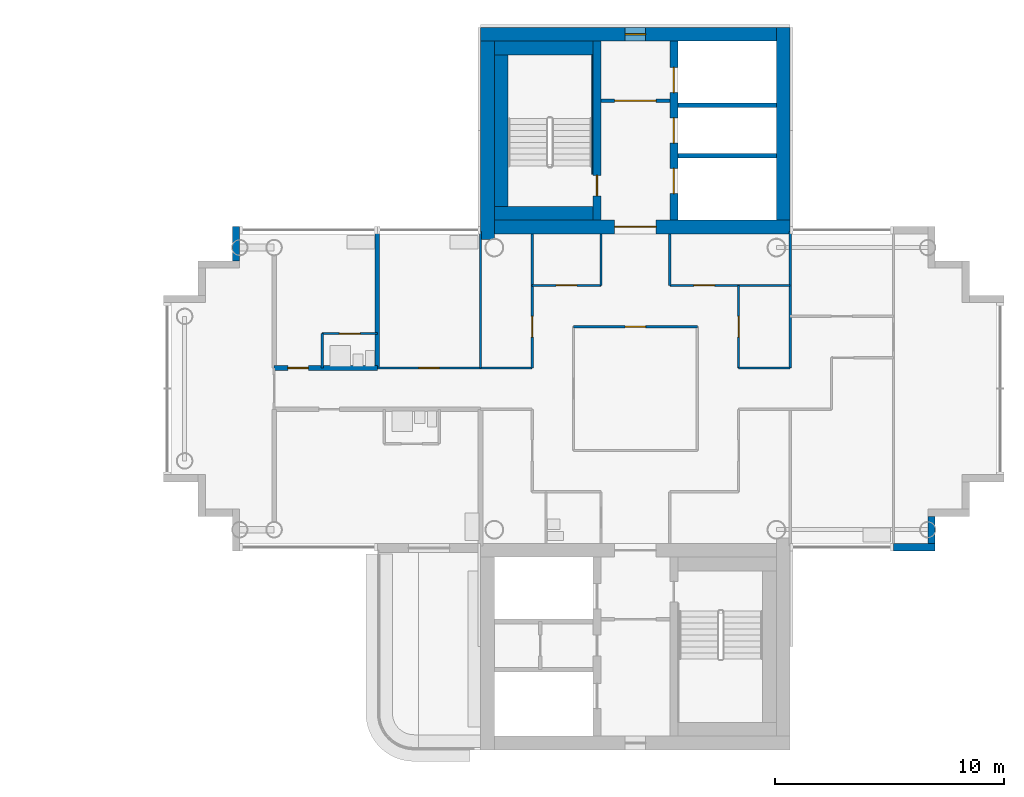
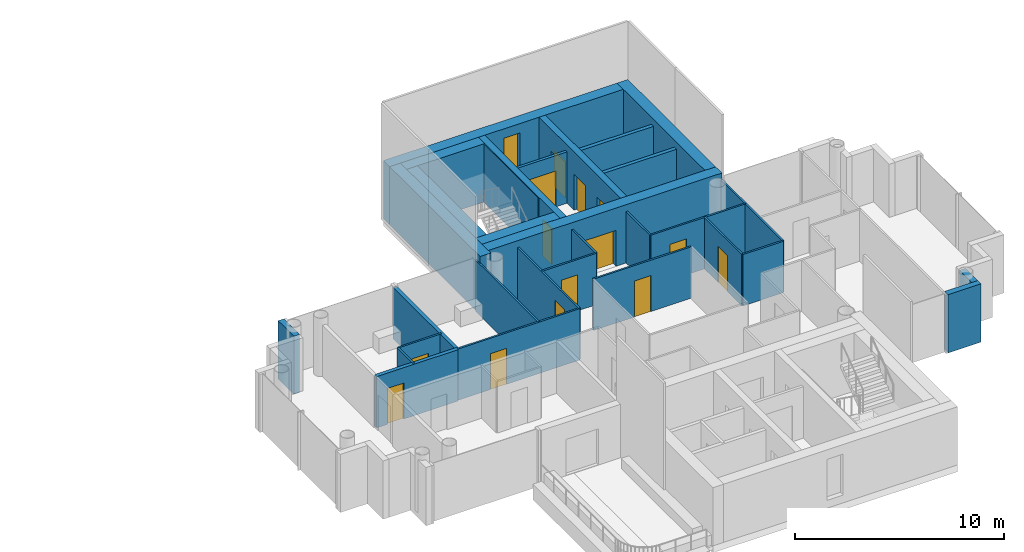
# One storey, part 10 of 18: 31 walls, 14 doors, 1 window, 15 openings.
"""IFC4 building model written with IfcOpenShell, lengths in metres."""

from ifc_helpers import new_model, si_unit, direction, frame, frame_2d, origin, place, context, subcontext, project, spatial, rectangle, extrude, material, layer, layer_set, type_object, element, fill, save


model = new_model("IFC4")

# Units and contexts
model_context = context("Model", 3, precision=1e-05, world=origin(), true_north=direction((0.0, 1.0)))
body_context = subcontext(model_context, "Body", "Model", "MODEL_VIEW")
ifc_project = project(units=[si_unit("LENGTHUNIT", "METRE"), si_unit("AREAUNIT", "SQUARE_METRE"), si_unit("VOLUMEUNIT", "CUBIC_METRE"), si_unit("PLANEANGLEUNIT", "RADIAN"), si_unit("MASSUNIT", "GRAM", prefix="KILO")], contexts=[model_context])

# Site, building, storey
site_placement = place(None, origin())
site = spatial("IfcSite", under=ifc_project, at=site_placement, CompositionType="ELEMENT")
building_placement = place(site_placement, origin())
building = spatial("IfcBuilding", under=site, at=building_placement, Name="Ipe Terrace Towers", CompositionType="ELEMENT")
storey_placement = place(building_placement, frame((0.0, 0.0, 206.199951171875)))
storey = spatial("IfcBuildingStorey", under=building, at=storey_placement, Name="L57", CompositionType="ELEMENT", Elevation=206.199951171875)

# Walls
ifc_material_1 = material(Name="Concrete C40/50 with buff precast cladding", Category="concrete")
ifc_layer_1 = layer(ifc_material_1, 0.320068359375)
ifc_layer_set_1 = layer_set([ifc_layer_1], Name="BUFF CLADDING WALL 320")
wall_type_1 = type_object("IfcWallType", Name="BUFF CLADDING WALL 320", PredefinedType="STANDARD", material=ifc_layer_set_1)
wall_1_placement = place(storey_placement, frame((47.25, -6.909912109375, -0.300048828125), z_axis=(0.0, 0.0, 1.0), x_axis=(1.0, 0.0, 0.0)))
element("IfcWall", 1, at=wall_1_placement, inside=storey, type_object=wall_type_1, Name="T2-W-L57-03a wall", PredefinedType="STANDARD", context=body_context, shape_type="SweptSolid", body=[
    extrude(rectangle(XDim=1.820068359375, YDim=0.320068359375, at=frame_2d((0.91015625, 0.0))), origin(), (0.0, 0.0, 1.0), 3.400146484375),
])
wall_2_placement = place(storey_placement, frame((48.909912109375, -6.75, -0.300048828125), z_axis=(0.0, 0.0, 1.0), x_axis=(0.0, 1.0, 0.0)))
element("IfcWall", 2, at=wall_2_placement, inside=storey, type_object=wall_type_1, Name="T2-W-L57-04a wall", PredefinedType="STANDARD", context=body_context, shape_type="SweptSolid", body=[
    extrude(rectangle(XDim=1.179931640625, YDim=0.320068359375, at=frame_2d((0.58984375, 0.0))), origin(), (0.0, 0.0, 1.0), 3.400146484375),
])
wall_3_placement = place(storey_placement, frame((18.590087890625, 7.070068359375, -0.300048828125), z_axis=(0.0, 0.0, 1.0), x_axis=(0.0, -1.0, 0.0)))
element("IfcWall", 3, at=wall_3_placement, inside=storey, type_object=wall_type_1, Name="T2-W-L57-22a wall", PredefinedType="STANDARD", context=body_context, shape_type="SweptSolid", body=[
    extrude(rectangle(XDim=1.5, YDim=0.320068359375, at=frame_2d((0.75, 0.0))), origin(), (0.0, 0.0, 1.0), 3.400146484375),
])
ifc_material_2 = material(Name="Gypsum board partition", Category="plasterboard")
ifc_layer_2 = layer(ifc_material_2, 0.10009765625)
ifc_layer_set_2 = layer_set([ifc_layer_2], Name="Gypsum board partition 100 mm")
wall_type_2 = type_object("IfcWallType", Name="Gypsum board partition 100 mm", PredefinedType="PARTITIONING", material=ifc_layer_set_2)
wall_4_placement = place(storey_placement, frame((42.75, 0.89990234375, 0.0), z_axis=(0.0, 0.0, 1.0), x_axis=(-1.0, 0.0, 0.0)))
element("IfcWall", 4, at=wall_4_placement, inside=storey, type_object=wall_type_2, Name="Gypsum board partition T2 L57 W08", PredefinedType="PARTITIONING", context=body_context, shape_type="SweptSolid", body=[
    extrude(rectangle(XDim=2.25, YDim=0.10009765625, at=frame_2d((1.125, 0.0))), origin(), (0.0, 0.0, 1.0), 3.0),
])

# Wall, opening, door
wall_5_placement = place(storey_placement, frame((31.5, 0.89990234375, 0.0), z_axis=(0.0, 0.0, 1.0), x_axis=(-1.0, 0.0, 0.0)))
wall_5 = element("IfcWall", 5, at=wall_5_placement, inside=storey, type_object=wall_type_2, Name="Gypsum board partition T2 L57 W09", PredefinedType="PARTITIONING", context=body_context, shape_type="SweptSolid", body=[
    extrude(rectangle(XDim=6.75, YDim=0.10009765625, at=frame_2d((3.375, 0.0))), origin(), (0.0, 0.0, 1.0), 3.0),
])
opening_1_placement = place(wall_5_placement, frame((4.050048828125, 0.0, 0.0)))
opening_1 = element("IfcOpeningElement", 6, at=opening_1_placement, cuts=wall_5, Name="Opening T2-Z4E-12", PredefinedType="OPENING", context=body_context, shape_type="SweptSolid", body=[
    extrude(rectangle(XDim=0.89990234375, YDim=2.10009765625, at=frame_2d((0.449951171875, 1.050048828125))), frame((0.0, 0.06005859375, 0.0), z_axis=(0.0, -1.0, 0.0), x_axis=(1.0, 0.0, 0.0)), (0.0, 0.0, 1.0), 0.1201171875),
])
ifc_material_3 = material(Name="Timber door leaf", Category="wood")
door_type_1 = type_object("IfcDoorType", Name="Lounge door 900 x 2100", OperationType="NOTDEFINED", PredefinedType="DOOR", material=ifc_material_3)
door_1_placement = place(opening_1_placement, origin())
door_1 = element("IfcDoor", 7, at=door_1_placement, inside=storey, type_object=door_type_1, Name="Lounge door T2-Z4E-12", OperationType="SINGLE_SWING_RIGHT", OverallHeight=2.10009765625, OverallWidth=0.89990234375, PredefinedType="DOOR", context=body_context, shape_type="SweptSolid", body=[
    extrude(rectangle(XDim=0.89990234375, YDim=2.10009765625, at=frame_2d((0.449951171875, 1.050048828125))), frame((0.0, 0.02490234375, 0.0), z_axis=(0.0, -1.0, 0.0), x_axis=(1.0, 0.0, 0.0)), (0.0, 0.0, 1.0), 0.050048828125),
])
fill(opening_1, door_1)

wall_6_placement = place(storey_placement, frame((24.75, 2.39990234375, 0.0), z_axis=(0.0, 0.0, 1.0), x_axis=(-1.0, 0.0, 0.0)))
wall_6 = element("IfcWall", 8, at=wall_6_placement, inside=storey, type_object=wall_type_2, Name="Gypsum board partition T2 L57 W12", PredefinedType="PARTITIONING", context=body_context, shape_type="SweptSolid", body=[
    extrude(rectangle(XDim=2.39990234375, YDim=0.10009765625, at=frame_2d((1.199951171875, 0.0))), origin(), (0.0, 0.0, 1.0), 3.0),
])
opening_2_placement = place(wall_6_placement, frame((0.75, 0.0, 0.0)))
opening_2 = element("IfcOpeningElement", 9, at=opening_2_placement, cuts=wall_6, Name="Opening T2-Z4E-14", PredefinedType="OPENING", context=body_context, shape_type="SweptSolid", body=[
    extrude(rectangle(XDim=0.89990234375, YDim=2.10009765625, at=frame_2d((0.449951171875, 1.050048828125))), frame((0.0, 0.06005859375, 0.0), z_axis=(0.0, -1.0, 0.0), x_axis=(1.0, 0.0, 0.0)), (0.0, 0.0, 1.0), 0.1201171875),
])
ifc_material_4 = material(Name="Timber door leaf", Category="wood")
door_type_2 = type_object("IfcDoorType", Name="Bathroom door 900 x 2100", OperationType="NOTDEFINED", PredefinedType="DOOR", material=ifc_material_4)
door_2_placement = place(opening_2_placement, origin())
door_2 = element("IfcDoor", 10, at=door_2_placement, inside=storey, type_object=door_type_2, Name="Bathroom door T2-Z4E-14", OperationType="SINGLE_SWING_RIGHT", OverallHeight=2.10009765625, OverallWidth=0.89990234375, PredefinedType="DOOR", context=body_context, shape_type="SweptSolid", body=[
    extrude(rectangle(XDim=0.89990234375, YDim=2.10009765625, at=frame_2d((0.449951171875, 1.050048828125))), frame((0.0, 0.02490234375, 0.0), z_axis=(0.0, -1.0, 0.0), x_axis=(1.0, 0.0, 0.0)), (0.0, 0.0, 1.0), 0.050048828125),
])
fill(opening_2, door_2)

wall_7_placement = place(storey_placement, frame((38.699951171875, 2.699951171875, 0.0), z_axis=(0.0, 0.0, 1.0), x_axis=(-1.0, 0.0, 0.0)))
wall_7 = element("IfcWall", 11, at=wall_7_placement, inside=storey, type_object=wall_type_2, Name="Gypsum board partition T2 L57 W13", PredefinedType="PARTITIONING", context=body_context, shape_type="SweptSolid", body=[
    extrude(rectangle(XDim=5.39990234375, YDim=0.10009765625, at=frame_2d((2.699951171875, 0.0))), origin(), (0.0, 0.0, 1.0), 3.0),
])
opening_3_placement = place(wall_7_placement, frame((2.25, 0.0, 0.0)))
opening_3 = element("IfcOpeningElement", 12, at=opening_3_placement, cuts=wall_7, Name="Opening T2-Z4E-02", PredefinedType="OPENING", context=body_context, shape_type="SweptSolid", body=[
    extrude(rectangle(XDim=0.89990234375, YDim=2.10009765625, at=frame_2d((0.449951171875, 1.050048828125))), frame((0.0, 0.06005859375, 0.0), z_axis=(0.0, -1.0, 0.0), x_axis=(1.0, 0.0, 0.0)), (0.0, 0.0, 1.0), 0.1201171875),
])
door_3_placement = place(opening_3_placement, origin())
door_3 = element("IfcDoor", 13, at=door_3_placement, inside=storey, type_object=door_type_1, Name="Lounge door T2-Z4E-02", OperationType="SINGLE_SWING_LEFT", OverallHeight=2.10009765625, OverallWidth=0.89990234375, PredefinedType="DOOR", context=body_context, shape_type="SweptSolid", body=[
    extrude(rectangle(XDim=0.89990234375, YDim=2.10009765625, at=frame_2d((0.449951171875, 1.050048828125))), frame((0.0, 0.02490234375, 0.0), z_axis=(0.0, -1.0, 0.0), x_axis=(1.0, 0.0, 0.0)), (0.0, 0.0, 1.0), 0.050048828125),
])
fill(opening_3, door_3)

wall_8_placement = place(storey_placement, frame((42.75, 4.5, 0.0), z_axis=(0.0, 0.0, 1.0), x_axis=(-1.0, 0.0, 0.0)))
wall_8 = element("IfcWall", 14, at=wall_8_placement, inside=storey, type_object=wall_type_2, Name="Gypsum board partition T2 L57 W15", PredefinedType="PARTITIONING", context=body_context, shape_type="SweptSolid", body=[
    extrude(rectangle(XDim=5.25, YDim=0.10009765625, at=frame_2d((2.625, 0.0))), origin(), (0.0, 0.0, 1.0), 3.0),
])
opening_4_placement = place(wall_8_placement, frame((3.300048828125, 0.0, 0.0)))
opening_4 = element("IfcOpeningElement", 15, at=opening_4_placement, cuts=wall_8, Name="Opening T2-Z4E-09", PredefinedType="OPENING", context=body_context, shape_type="SweptSolid", body=[
    extrude(rectangle(XDim=0.89990234375, YDim=2.10009765625, at=frame_2d((0.449951171875, 1.050048828125))), frame((0.0, 0.06005859375, 0.0), z_axis=(0.0, -1.0, 0.0), x_axis=(1.0, 0.0, 0.0)), (0.0, 0.0, 1.0), 0.1201171875),
])
door_4_placement = place(opening_4_placement, origin())
door_4 = element("IfcDoor", 16, at=door_4_placement, inside=storey, type_object=door_type_1, Name="Lounge door T2-Z4E-09", OperationType="SINGLE_SWING_RIGHT", OverallHeight=2.10009765625, OverallWidth=0.89990234375, PredefinedType="DOOR", context=body_context, shape_type="SweptSolid", body=[
    extrude(rectangle(XDim=0.89990234375, YDim=2.10009765625, at=frame_2d((0.449951171875, 1.050048828125))), frame((0.0, 0.02490234375, 0.0), z_axis=(0.0, -1.0, 0.0), x_axis=(1.0, 0.0, 0.0)), (0.0, 0.0, 1.0), 0.050048828125),
])
fill(opening_4, door_4)

wall_9_placement = place(storey_placement, frame((34.5, 4.5, 0.0), z_axis=(0.0, 0.0, 1.0), x_axis=(-1.0, 0.0, 0.0)))
wall_9 = element("IfcWall", 17, at=wall_9_placement, inside=storey, type_object=wall_type_2, Name="Gypsum board partition T2 L57 W16", PredefinedType="PARTITIONING", context=body_context, shape_type="SweptSolid", body=[
    extrude(rectangle(XDim=3.0, YDim=0.10009765625, at=frame_2d((1.5, 0.0))), origin(), (0.0, 0.0, 1.0), 3.0),
])
opening_5_placement = place(wall_9_placement, frame((1.050048828125, 0.0, 0.0)))
opening_5 = element("IfcOpeningElement", 18, at=opening_5_placement, cuts=wall_9, Name="Opening T2-Z4E-05", PredefinedType="OPENING", context=body_context, shape_type="SweptSolid", body=[
    extrude(rectangle(XDim=0.89990234375, YDim=2.10009765625, at=frame_2d((0.449951171875, 1.050048828125))), frame((0.0, 0.06005859375, 0.0), z_axis=(0.0, -1.0, 0.0), x_axis=(1.0, 0.0, 0.0)), (0.0, 0.0, 1.0), 0.1201171875),
])
door_5_placement = place(opening_5_placement, origin())
door_5 = element("IfcDoor", 19, at=door_5_placement, inside=storey, type_object=door_type_1, Name="Lounge door T2-Z4E-05", OperationType="SINGLE_SWING_RIGHT", OverallHeight=2.10009765625, OverallWidth=0.89990234375, PredefinedType="DOOR", context=body_context, shape_type="SweptSolid", body=[
    extrude(rectangle(XDim=0.89990234375, YDim=2.10009765625, at=frame_2d((0.449951171875, 1.050048828125))), frame((0.0, 0.02490234375, 0.0), z_axis=(0.0, -1.0, 0.0), x_axis=(1.0, 0.0, 0.0)), (0.0, 0.0, 1.0), 0.050048828125),
])
fill(opening_5, door_5)

# Wall
wall_10_placement = place(storey_placement, frame((42.75, 0.89990234375, 0.0), z_axis=(0.0, 0.0, 1.0), x_axis=(0.0, 1.0, 0.0)))
element("IfcWall", 20, at=wall_10_placement, inside=storey, type_object=wall_type_2, Name="Gypsum board partition T2 L57 W20", PredefinedType="PARTITIONING", context=body_context, shape_type="SweptSolid", body=[
    extrude(rectangle(XDim=5.9501953125, YDim=0.10009765625, at=frame_2d((2.97509765625, 0.0))), origin(), (0.0, 0.0, 1.0), 3.0),
])

# Wall, opening, door
wall_11_placement = place(storey_placement, frame((40.5, 0.89990234375, 0.0), z_axis=(0.0, 0.0, 1.0), x_axis=(0.0, 1.0, 0.0)))
wall_11 = element("IfcWall", 21, at=wall_11_placement, inside=storey, type_object=wall_type_2, Name="Gypsum board partition T2 L57 W22", PredefinedType="PARTITIONING", context=body_context, shape_type="SweptSolid", body=[
    extrude(rectangle(XDim=3.60009765625, YDim=0.10009765625, at=frame_2d((1.800048828125, 0.0))), origin(), (0.0, 0.0, 1.0), 3.0),
])
opening_6_placement = place(wall_11_placement, frame((1.35009765625, 0.0, 0.0)))
opening_6 = element("IfcOpeningElement", 22, at=opening_6_placement, cuts=wall_11, Name="Opening T2-Z4E-08", PredefinedType="OPENING", context=body_context, shape_type="SweptSolid", body=[
    extrude(rectangle(XDim=0.89990234375, YDim=2.10009765625, at=frame_2d((0.449951171875, 1.050048828125))), frame((0.0, 0.06005859375, 0.0), z_axis=(0.0, -1.0, 0.0), x_axis=(1.0, 0.0, 0.0)), (0.0, 0.0, 1.0), 0.1201171875),
])
door_6_placement = place(opening_6_placement, origin())
door_6 = element("IfcDoor", 23, at=door_6_placement, inside=storey, type_object=door_type_1, Name="Lounge door T2-Z4E-08", OperationType="SINGLE_SWING_RIGHT", OverallHeight=2.10009765625, OverallWidth=0.89990234375, PredefinedType="DOOR", context=body_context, shape_type="SweptSolid", body=[
    extrude(rectangle(XDim=0.89990234375, YDim=2.10009765625, at=frame_2d((0.449951171875, 1.050048828125))), frame((0.0, 0.02490234375, 0.0), z_axis=(0.0, -1.0, 0.0), x_axis=(1.0, 0.0, 0.0)), (0.0, 0.0, 1.0), 0.050048828125),
])
fill(opening_6, door_6)

# Walls
for number, where, z_axis, x_axis, name in (
    (24, (37.5, 4.5, 0.0), (0.0, 0.0, 1.0), (0.0, 1.0, 0.0), "Gypsum board partition T2 L57 W25"),
    (25, (34.5, 4.5, 0.0), (0.0, 0.0, 1.0), (0.0, 1.0, 0.0), "Gypsum board partition T2 L57 W27"),
):
    element("IfcWall", number, at=place(storey_placement, frame(where, z_axis=z_axis, x_axis=x_axis)), inside=storey, type_object=wall_type_2, Name=name, PredefinedType="PARTITIONING", context=body_context, shape_type="SweptSolid", body=[
        extrude(rectangle(XDim=2.25, YDim=0.10009765625, at=frame_2d((1.125, 0.0))), origin(), (0.0, 0.0, 1.0), 3.0),
    ])

# Wall, opening, door
wall_12_placement = place(storey_placement, frame((31.5, 0.89990234375, 0.0), z_axis=(0.0, 0.0, 1.0), x_axis=(0.0, 1.0, 0.0)))
wall_12 = element("IfcWall", 26, at=wall_12_placement, inside=storey, type_object=wall_type_2, Name="Gypsum board partition T2 L57 W31", PredefinedType="PARTITIONING", context=body_context, shape_type="SweptSolid", body=[
    extrude(rectangle(XDim=5.85009765625, YDim=0.10009765625, at=frame_2d((2.925048828125, 0.0))), origin(), (0.0, 0.0, 1.0), 3.0),
])
opening_7_placement = place(wall_12_placement, frame((1.35009765625, 0.0, 0.0)))
opening_7 = element("IfcOpeningElement", 27, at=opening_7_placement, cuts=wall_12, Name="Opening T2-Z4E-04", PredefinedType="OPENING", context=body_context, shape_type="SweptSolid", body=[
    extrude(rectangle(XDim=0.89990234375, YDim=2.10009765625, at=frame_2d((0.449951171875, 1.050048828125))), frame((0.0, 0.06005859375, 0.0), z_axis=(0.0, -1.0, 0.0), x_axis=(1.0, 0.0, 0.0)), (0.0, 0.0, 1.0), 0.1201171875),
])
door_7_placement = place(opening_7_placement, origin())
door_7 = element("IfcDoor", 28, at=door_7_placement, inside=storey, type_object=door_type_1, Name="Lounge door T2-Z4E-04", OperationType="SINGLE_SWING_RIGHT", OverallHeight=2.10009765625, OverallWidth=0.89990234375, PredefinedType="DOOR", context=body_context, shape_type="SweptSolid", body=[
    extrude(rectangle(XDim=0.89990234375, YDim=2.10009765625, at=frame_2d((0.449951171875, 1.050048828125))), frame((0.0, 0.02490234375, 0.0), z_axis=(0.0, -1.0, 0.0), x_axis=(1.0, 0.0, 0.0)), (0.0, 0.0, 1.0), 0.050048828125),
])
fill(opening_7, door_7)

# Walls
wall_13_placement = place(storey_placement, frame((29.25, 0.89990234375, 0.0), z_axis=(0.0, 0.0, 1.0), x_axis=(0.0, 1.0, 0.0)))
element("IfcWall", 29, at=wall_13_placement, inside=storey, type_object=wall_type_2, Name="Gypsum board partition T2 L57 W32", PredefinedType="PARTITIONING", context=body_context, shape_type="SweptSolid", body=[
    extrude(rectangle(XDim=5.9501953125, YDim=0.10009765625, at=frame_2d((2.97509765625, 0.0))), origin(), (0.0, 0.0, 1.0), 3.0),
])
wall_14_placement = place(storey_placement, frame((22.35009765625, 0.89990234375, 0.0), z_axis=(0.0, 0.0, 1.0), x_axis=(0.0, 1.0, 0.0)))
element("IfcWall", 30, at=wall_14_placement, inside=storey, type_object=wall_type_2, Name="Gypsum board partition T2 L57 W37", PredefinedType="PARTITIONING", context=body_context, shape_type="SweptSolid", body=[
    extrude(rectangle(XDim=1.5, YDim=0.10009765625, at=frame_2d((0.75, 0.0))), origin(), (0.0, 0.0, 1.0), 3.0),
])

# Wall, opening, door
ifc_material_5 = material(Name="Gypsum board partition", Category="plasterboard")
ifc_layer_3 = layer(ifc_material_5, 0.14990234375)
ifc_layer_set_3 = layer_set([ifc_layer_3], Name="Gypsum board partition 150 mm")
wall_type_3 = type_object("IfcWallType", Name="Gypsum board partition 150 mm", PredefinedType="PARTITIONING", material=ifc_layer_set_3)
wall_15_placement = place(storey_placement, frame((37.5, 12.550048828125, 0.0), z_axis=(0.0, 0.0, 1.0), x_axis=(-1.0, 0.0, 0.0)))
wall_15 = element("IfcWall", 31, at=wall_15_placement, inside=storey, type_object=wall_type_3, Name="Gypsum board partition T2 L57 t2c1-lobby-wall", PredefinedType="PARTITIONING", context=body_context, shape_type="SweptSolid", body=[
    extrude(rectangle(XDim=3.0, YDim=0.14990234375, at=frame_2d((1.5, 0.0))), origin(), (0.0, 0.0, 1.0), 3.0),
])
opening_8_placement = place(wall_15_placement, frame((0.60009765625, 0.0, 0.0)))
opening_8 = element("IfcOpeningElement", 32, at=opening_8_placement, cuts=wall_15, Name="Opening T2C1-VD", PredefinedType="OPENING", context=body_context, shape_type="SweptSolid", body=[
    extrude(rectangle(XDim=1.800048828125, YDim=2.10009765625, at=frame_2d((0.89990234375, 1.050048828125))), frame((0.0, 0.0849609375, 0.0), z_axis=(0.0, -1.0, 0.0), x_axis=(1.0, 0.0, 0.0)), (0.0, 0.0, 1.0), 0.169921875),
])
ifc_material_6 = material(Name="Fire-rated timber door leaf", Category="wood")
door_type_3 = type_object("IfcDoorType", Name="Lobby door 1800 x 2100 FD60", OperationType="NOTDEFINED", PredefinedType="DOOR", material=ifc_material_6)
door_8_placement = place(opening_8_placement, origin())
door_8 = element("IfcDoor", 33, at=door_8_placement, inside=storey, type_object=door_type_3, Name="Lobby door T2C1-VD", OperationType="SINGLE_SWING_LEFT", OverallHeight=2.10009765625, OverallWidth=1.800048828125, PredefinedType="DOOR", context=body_context, shape_type="SweptSolid", body=[
    extrude(rectangle(XDim=1.800048828125, YDim=2.10009765625, at=frame_2d((0.89990234375, 1.050048828125))), frame((0.0, 0.02490234375, 0.0), z_axis=(0.0, -1.0, 0.0), x_axis=(1.0, 0.0, 0.0)), (0.0, 0.0, 1.0), 0.050048828125),
])
fill(opening_8, door_8)

# Walls
ifc_material_7 = material(Name="Gypsum board party wall", Category="plasterboard")
ifc_layer_4 = layer(ifc_material_7, 0.199951171875)
ifc_layer_set_4 = layer_set([ifc_layer_4], Name="Gypsum board party wall 200 mm")
wall_type_4 = type_object("IfcWallType", Name="Gypsum board party wall 200 mm", PredefinedType="SOLIDWALL", material=ifc_layer_set_4)
for number, where, z_axis, x_axis, name in (
    (34, (42.14990234375, 10.14990234375, 0.0), (0.0, 0.0, 1.0), (-1.0, 0.0, 0.0), "Gypsum board party wall T2 L57 t2c1-shaft-div1"),
    (35, (42.14990234375, 12.35009765625, 0.0), (0.0, 0.0, 1.0), (-1.0, 0.0, 0.0), "Gypsum board party wall T2 L57 t2c1-shaft-div2"),
):
    element("IfcWall", number, at=place(storey_placement, frame(where, z_axis=z_axis, x_axis=x_axis)), inside=storey, type_object=wall_type_4, Name=name, PredefinedType="SOLIDWALL", context=body_context, shape_type="SweptSolid", body=[
        extrude(rectangle(XDim=4.2998046875, YDim=0.199951171875, at=frame_2d((2.14990234375, 0.0))), origin(), (0.0, 0.0, 1.0), 3.0),
    ])

# Wall, opening, door
wall_16_placement = place(storey_placement, frame((24.75, 0.89990234375, 0.0), z_axis=(0.0, 0.0, 1.0), x_axis=(-1.0, 0.0, 0.0)))
wall_16 = element("IfcWall", 36, at=wall_16_placement, inside=storey, type_object=wall_type_4, Name="Gypsum board party wall T2 L57 W10", PredefinedType="SOLIDWALL", context=body_context, shape_type="SweptSolid", body=[
    extrude(rectangle(XDim=4.5, YDim=0.199951171875, at=frame_2d((2.25, 0.0))), origin(), (0.0, 0.0, 1.0), 3.0),
])
opening_9_placement = place(wall_16_placement, frame((3.0, 0.0, 0.0)))
opening_9 = element("IfcOpeningElement", 37, at=opening_9_placement, cuts=wall_16, Name="Opening T2-Z4E-13", PredefinedType="OPENING", context=body_context, shape_type="SweptSolid", body=[
    extrude(rectangle(XDim=0.89990234375, YDim=2.10009765625, at=frame_2d((0.449951171875, 1.050048828125))), frame((0.0, 0.10986328125, 0.0), z_axis=(0.0, -1.0, 0.0), x_axis=(1.0, 0.0, 0.0)), (0.0, 0.0, 1.0), 0.219970703125),
])
ifc_material_8 = material(Name="Fire-rated timber door leaf", Category="wood")
door_type_4 = type_object("IfcDoorType", Name="Flat entrance door 900 x 2100 FD30S", OperationType="NOTDEFINED", PredefinedType="DOOR", material=ifc_material_8)
door_9_placement = place(opening_9_placement, origin())
door_9 = element("IfcDoor", 38, at=door_9_placement, inside=storey, type_object=door_type_4, Name="Flat entrance door T2-Z4E-13", OperationType="SINGLE_SWING_RIGHT", OverallHeight=2.10009765625, OverallWidth=0.89990234375, PredefinedType="DOOR", context=body_context, shape_type="SweptSolid", body=[
    extrude(rectangle(XDim=0.89990234375, YDim=2.10009765625, at=frame_2d((0.449951171875, 1.050048828125))), frame((0.0, 0.02490234375, 0.0), z_axis=(0.0, -1.0, 0.0), x_axis=(1.0, 0.0, 0.0)), (0.0, 0.0, 1.0), 0.050048828125),
])
fill(opening_9, door_9)

# Wall
wall_17_placement = place(storey_placement, frame((24.75, 0.89990234375, 0.0), z_axis=(0.0, 0.0, 1.0), x_axis=(0.0, 1.0, 0.0)))
element("IfcWall", 39, at=wall_17_placement, inside=storey, type_object=wall_type_4, Name="Gypsum board party wall T2 L57 W36", PredefinedType="SOLIDWALL", context=body_context, shape_type="SweptSolid", body=[
    extrude(rectangle(XDim=5.9501953125, YDim=0.199951171875, at=frame_2d((2.97509765625, 0.0))), origin(), (0.0, 0.0, 1.0), 3.0),
])

# Wall, opening, door
ifc_material_9 = material(Name="Concrete C40/50", Category="concrete")
ifc_layer_5 = layer(ifc_material_9, 0.35009765625)
ifc_layer_set_5 = layer_set([ifc_layer_5], Name="RW350 CORE SPINE WALL 350 C40-50")
wall_type_5 = type_object("IfcWallType", Name="RW350 CORE SPINE WALL 350 C40-50", PredefinedType="SHEAR", material=ifc_layer_set_5)
wall_18_placement = place(storey_placement, frame((34.324951171875, 7.35009765625, 0.0), z_axis=(0.0, 0.0, 1.0), x_axis=(0.0, 1.0, 0.0)))
wall_18 = element("IfcWall", 40, at=wall_18_placement, inside=storey, type_object=wall_type_5, Name="Core spine wall T2-C1-Z4-SW1", PredefinedType="SHEAR", context=body_context, shape_type="SweptSolid", body=[
    extrude(rectangle(XDim=7.7998046875, YDim=0.35009765625, at=frame_2d((3.89990234375, 0.0))), origin(), (0.0, 0.0, 1.0), 3.400146484375),
])
opening_10_placement = place(wall_18_placement, frame((1.050048828125, 0.0, 0.0)))
opening_10 = element("IfcOpeningElement", 41, at=opening_10_placement, cuts=wall_18, Name="Opening T2C1-SD", PredefinedType="OPENING", context=body_context, shape_type="SweptSolid", body=[
    extrude(rectangle(XDim=0.89990234375, YDim=2.10009765625, at=frame_2d((0.449951171875, 1.050048828125))), frame((0.0, 0.18505859375, 0.0), z_axis=(0.0, -1.0, 0.0), x_axis=(1.0, 0.0, 0.0)), (0.0, 0.0, 1.0), 0.3701171875),
])
ifc_material_10 = material(Name="Fire-rated timber door leaf", Category="wood")
door_type_5 = type_object("IfcDoorType", Name="Stair door 900 x 2100 FD60", OperationType="NOTDEFINED", PredefinedType="DOOR", material=ifc_material_10)
door_10_placement = place(opening_10_placement, origin())
door_10 = element("IfcDoor", 42, at=door_10_placement, inside=storey, type_object=door_type_5, Name="Stair door T2C1-SD", OperationType="SINGLE_SWING_LEFT", OverallHeight=2.10009765625, OverallWidth=0.89990234375, PredefinedType="DOOR", context=body_context, shape_type="SweptSolid", body=[
    extrude(rectangle(XDim=0.89990234375, YDim=2.10009765625, at=frame_2d((0.449951171875, 1.050048828125))), frame((0.0, 0.02490234375, 0.0), z_axis=(0.0, -1.0, 0.0), x_axis=(1.0, 0.0, 0.0)), (0.0, 0.0, 1.0), 0.050048828125),
])
fill(opening_10, door_10)

# Wall, openings, doors
wall_19_placement = place(storey_placement, frame((37.675048828125, 7.35009765625, 0.0), z_axis=(0.0, 0.0, 1.0), x_axis=(0.0, 1.0, 0.0)))
wall_19 = element("IfcWall", 43, at=wall_19_placement, inside=storey, type_object=wall_type_5, Name="Core spine wall T2-C1-Z4-SW2", PredefinedType="SHEAR", context=body_context, shape_type="SweptSolid", body=[
    extrude(rectangle(XDim=7.7998046875, YDim=0.35009765625, at=frame_2d((3.89990234375, 0.0))), origin(), (0.0, 0.0, 1.0), 3.400146484375),
])
opening_11_placement = place(wall_19_placement, frame((1.14990234375, 0.0, 0.0)))
opening_11 = element("IfcOpeningElement", 44, at=opening_11_placement, cuts=wall_19, Name="Opening T2C1-LD1", PredefinedType="OPENING", context=body_context, shape_type="SweptSolid", body=[
    extrude(rectangle(XDim=1.10009765625, YDim=2.10009765625, at=frame_2d((0.550048828125, 1.050048828125))), frame((0.0, 0.18505859375, 0.0), z_axis=(0.0, -1.0, 0.0), x_axis=(1.0, 0.0, 0.0)), (0.0, 0.0, 1.0), 0.3701171875),
])
opening_12_placement = place(wall_19_placement, frame((3.35009765625, 0.0, 0.0)))
opening_12 = element("IfcOpeningElement", 45, at=opening_12_placement, cuts=wall_19, Name="Opening T2C1-LD2", PredefinedType="OPENING", context=body_context, shape_type="SweptSolid", body=[
    extrude(rectangle(XDim=1.10009765625, YDim=2.10009765625, at=frame_2d((0.550048828125, 1.050048828125))), frame((0.0, 0.18505859375, 0.0), z_axis=(0.0, -1.0, 0.0), x_axis=(1.0, 0.0, 0.0)), (0.0, 0.0, 1.0), 0.3701171875),
])
opening_13_placement = place(wall_19_placement, frame((5.550048828125, 0.0, 0.0)))
opening_13 = element("IfcOpeningElement", 46, at=opening_13_placement, cuts=wall_19, Name="Opening T2C1-LD3", PredefinedType="OPENING", context=body_context, shape_type="SweptSolid", body=[
    extrude(rectangle(XDim=1.10009765625, YDim=2.10009765625, at=frame_2d((0.550048828125, 1.050048828125))), frame((0.0, 0.18505859375, 0.0), z_axis=(0.0, -1.0, 0.0), x_axis=(1.0, 0.0, 0.0)), (0.0, 0.0, 1.0), 0.3701171875),
])
ifc_material_11 = material(Name="Fire-rated timber door leaf", Category="wood")
door_type_6 = type_object("IfcDoorType", Name="Sliding door 1100 x 2100 FD60", OperationType="SLIDING_TO_LEFT", PredefinedType="DOOR", material=ifc_material_11)
door_11_placement = place(opening_11_placement, origin())
door_11 = element("IfcDoor", 47, at=door_11_placement, inside=storey, type_object=door_type_6, Name="Sliding door T2C1-LD1", OperationType="SLIDING_TO_LEFT", OverallHeight=2.10009765625, OverallWidth=1.10009765625, PredefinedType="DOOR", context=body_context, shape_type="SweptSolid", body=[
    extrude(rectangle(XDim=1.10009765625, YDim=2.10009765625, at=frame_2d((0.550048828125, 1.050048828125))), frame((0.0, 0.02490234375, 0.0), z_axis=(0.0, -1.0, 0.0), x_axis=(1.0, 0.0, 0.0)), (0.0, 0.0, 1.0), 0.050048828125),
])
fill(opening_11, door_11)
door_12_placement = place(opening_12_placement, origin())
door_12 = element("IfcDoor", 48, at=door_12_placement, inside=storey, type_object=door_type_6, Name="Sliding door T2C1-LD2", OperationType="SLIDING_TO_LEFT", OverallHeight=2.10009765625, OverallWidth=1.10009765625, PredefinedType="DOOR", context=body_context, shape_type="SweptSolid", body=[
    extrude(rectangle(XDim=1.10009765625, YDim=2.10009765625, at=frame_2d((0.550048828125, 1.050048828125))), frame((0.0, 0.02490234375, 0.0), z_axis=(0.0, -1.0, 0.0), x_axis=(1.0, 0.0, 0.0)), (0.0, 0.0, 1.0), 0.050048828125),
])
fill(opening_12, door_12)
door_13_placement = place(opening_13_placement, origin())
door_13 = element("IfcDoor", 49, at=door_13_placement, inside=storey, type_object=door_type_6, Name="Sliding door T2C1-LD3", OperationType="SLIDING_TO_LEFT", OverallHeight=2.10009765625, OverallWidth=1.10009765625, PredefinedType="DOOR", context=body_context, shape_type="SweptSolid", body=[
    extrude(rectangle(XDim=1.10009765625, YDim=2.10009765625, at=frame_2d((0.550048828125, 1.050048828125))), frame((0.0, 0.02490234375, 0.0), z_axis=(0.0, -1.0, 0.0), x_axis=(1.0, 0.0, 0.0)), (0.0, 0.0, 1.0), 0.050048828125),
])
fill(opening_13, door_13)

# Walls
ifc_material_12 = material(Name="Concrete C40/50", Category="concrete")
ifc_layer_6 = layer(ifc_material_12, 0.050048828125)
ifc_layer_set_6 = layer_set([ifc_layer_6], Name="RW50 CORE INFILL WALL 50 C40-50")
wall_type_6 = type_object("IfcWallType", Name="RW50 CORE INFILL WALL 50 C40-50", PredefinedType="SHEAR", material=ifc_layer_set_6)
wall_20_placement = place(storey_placement, frame((34.125, 9.35009765625, 0.0), z_axis=(0.0, 0.0, 1.0), x_axis=(0.0, 1.0, 0.0)))
element("IfcWall", 50, at=wall_20_placement, inside=storey, type_object=wall_type_6, Name="Core infill wall T2-C1-spine-b", PredefinedType="SHEAR", context=body_context, shape_type="SweptSolid", body=[
    extrude(rectangle(XDim=5.199951171875, YDim=0.050048828125, at=frame_2d((2.60009765625, 0.0))), origin(), (0.0, 0.0, 1.0), 3.400146484375),
])
ifc_material_13 = material(Name="Concrete C40/50", Category="concrete")
ifc_layer_7 = layer(ifc_material_13, 0.60009765625)
ifc_layer_set_7 = layer_set([ifc_layer_7], Name="RW600 CORE INFILL WALL 600 C40-50")
wall_type_7 = type_object("IfcWallType", Name="RW600 CORE INFILL WALL 600 C40-50", PredefinedType="SHEAR", material=ifc_layer_set_7)
wall_21_placement = place(storey_placement, frame((34.14990234375, 14.85009765625, 0.0), z_axis=(0.0, 0.0, 1.0), x_axis=(-1.0, 0.0, 0.0)))
element("IfcWall", 51, at=wall_21_placement, inside=storey, type_object=wall_type_7, Name="Core infill wall T2-C1-far", PredefinedType="SHEAR", context=body_context, shape_type="SweptSolid", body=[
    extrude(rectangle(XDim=4.2998046875, YDim=0.60009765625, at=frame_2d((2.14990234375, 0.0))), origin(), (0.0, 0.0, 1.0), 3.400146484375),
])
wall_22_placement = place(storey_placement, frame((30.14990234375, 7.949951171875, 0.0), z_axis=(0.0, 0.0, 1.0), x_axis=(0.0, 1.0, 0.0)))
element("IfcWall", 52, at=wall_22_placement, inside=storey, type_object=wall_type_7, Name="Core infill wall T2-C1-back", PredefinedType="SHEAR", context=body_context, shape_type="SweptSolid", body=[
    extrude(rectangle(XDim=6.60009765625, YDim=0.60009765625, at=frame_2d((3.300048828125, 0.0))), origin(), (0.0, 0.0, 1.0), 3.400146484375),
])
wall_23_placement = place(storey_placement, frame((34.14990234375, 7.64990234375, 0.0), z_axis=(0.0, 0.0, 1.0), x_axis=(-1.0, 0.0, 0.0)))
element("IfcWall", 53, at=wall_23_placement, inside=storey, type_object=wall_type_7, Name="Core infill wall T2-C1-near", PredefinedType="SHEAR", context=body_context, shape_type="SweptSolid", body=[
    extrude(rectangle(XDim=4.2998046875, YDim=0.60009765625, at=frame_2d((2.14990234375, 0.0))), origin(), (0.0, 0.0, 1.0), 3.400146484375),
])

# Wall, opening, door
ifc_material_14 = material(Name="Concrete C40/50", Category="concrete")
ifc_layer_8 = layer(ifc_material_14, 0.60009765625)
ifc_layer_set_8 = layer_set([ifc_layer_8], Name="RW600 CORE WALL 600 C40-50")
wall_type_8 = type_object("IfcWallType", Name="RW600 CORE WALL 600 C40-50", PredefinedType="SHEAR", material=ifc_layer_set_8)
wall_24_placement = place(storey_placement, frame((29.85009765625, 7.050048828125, 0.0), z_axis=(0.0, 0.0, 1.0), x_axis=(1.0, 0.0, 0.0)))
wall_24 = element("IfcWall", 54, at=wall_24_placement, inside=storey, type_object=wall_type_8, Name="Core wall T2-C1-Z4-W01", PredefinedType="SHEAR", context=body_context, shape_type="SweptSolid", body=[
    extrude(rectangle(XDim=12.89990234375, YDim=0.60009765625, at=frame_2d((6.449951171875, 0.0))), origin(), (0.0, 0.0, 1.0), 3.400146484375),
])
opening_14_placement = place(wall_24_placement, frame((5.25, 0.0, 0.0)))
opening_14 = element("IfcOpeningElement", 55, at=opening_14_placement, cuts=wall_24, Name="Opening T2C1-ND", PredefinedType="OPENING", context=body_context, shape_type="SweptSolid", body=[
    extrude(rectangle(XDim=1.800048828125, YDim=2.10009765625, at=frame_2d((0.89990234375, 1.050048828125))), frame((0.0, 0.31005859375, 0.0), z_axis=(0.0, -1.0, 0.0), x_axis=(1.0, 0.0, 0.0)), (0.0, 0.0, 1.0), 0.6201171875),
])
ifc_material_15 = material(Name="Fire-rated timber door leaf", Category="wood")
door_type_7 = type_object("IfcDoorType", Name="Fire door 1800 x 2100 FD30S", OperationType="NOTDEFINED", PredefinedType="DOOR", material=ifc_material_15)
door_14_placement = place(opening_14_placement, origin())
door_14 = element("IfcDoor", 56, at=door_14_placement, inside=storey, type_object=door_type_7, Name="Fire door T2C1-ND", OperationType="SINGLE_SWING_LEFT", OverallHeight=2.10009765625, OverallWidth=1.800048828125, PredefinedType="DOOR", context=body_context, shape_type="SweptSolid", body=[
    extrude(rectangle(XDim=1.800048828125, YDim=2.10009765625, at=frame_2d((0.89990234375, 1.050048828125))), frame((0.0, 0.02490234375, 0.0), z_axis=(0.0, -1.0, 0.0), x_axis=(1.0, 0.0, 0.0)), (0.0, 0.0, 1.0), 0.050048828125),
])
fill(opening_14, door_14)

# Wall
wall_25_placement = place(storey_placement, frame((42.449951171875, 7.35009765625, 0.0), z_axis=(0.0, 0.0, 1.0), x_axis=(0.0, 1.0, 0.0)))
element("IfcWall", 57, at=wall_25_placement, inside=storey, type_object=wall_type_8, Name="Core wall T2-C1-Z4-W02", PredefinedType="SHEAR", context=body_context, shape_type="SweptSolid", body=[
    extrude(rectangle(XDim=8.39990234375, YDim=0.60009765625, at=frame_2d((4.199951171875, 0.0))), origin(), (0.0, 0.0, 1.0), 3.400146484375),
])

# Wall, opening, window
wall_26_placement = place(storey_placement, frame((42.14990234375, 15.449951171875, 0.0), z_axis=(0.0, 0.0, 1.0), x_axis=(-1.0, 0.0, 0.0)))
wall_26 = element("IfcWall", 58, at=wall_26_placement, inside=storey, type_object=wall_type_8, Name="Core wall T2-C1-Z4-W03", PredefinedType="SHEAR", context=body_context, shape_type="SweptSolid", body=[
    extrude(rectangle(XDim=12.89990234375, YDim=0.60009765625, at=frame_2d((6.449951171875, 0.0))), origin(), (0.0, 0.0, 1.0), 3.400146484375),
])
opening_15_placement = place(wall_26_placement, frame((5.699951171875, 0.0, 0.449951171875)))
opening_15 = element("IfcOpeningElement", 59, at=opening_15_placement, cuts=wall_26, Name="Opening T2-C1-W-01-L57", PredefinedType="OPENING", context=body_context, shape_type="SweptSolid", body=[
    extrude(rectangle(XDim=0.89990234375, YDim=2.39990234375, at=frame_2d((0.449951171875, 1.199951171875))), frame((0.0, 0.31005859375, 0.0), z_axis=(0.0, -1.0, 0.0), x_axis=(1.0, 0.0, 0.0)), (0.0, 0.0, 1.0), 0.6201171875),
])
ifc_material_16 = material(Name="Fire-resistant glazing EI 60", Category="glass")
window_type = type_object("IfcWindowType", Name="CORRIDOR END SLOT WINDOW 900 x 2400 EI 60", PartitioningType="SINGLE_PANEL", PredefinedType="WINDOW", material=ifc_material_16)
window_placement = place(opening_15_placement, origin())
window = element("IfcWindow", 60, at=window_placement, inside=storey, type_object=window_type, Name="W-01 window", OverallHeight=2.39990234375, OverallWidth=0.89990234375, PartitioningType="SINGLE_PANEL", PredefinedType="WINDOW", context=body_context, shape_type="SweptSolid", body=[
    extrude(rectangle(XDim=0.89990234375, YDim=2.39990234375, at=frame_2d((0.449951171875, 1.199951171875))), frame((0.0, 0.030029296875, 0.0), z_axis=(0.0, -1.0, 0.0), x_axis=(1.0, 0.0, 0.0)), (0.0, 0.0, 1.0), 0.06005859375),
])
fill(opening_15, window)

# Wall
wall_27_placement = place(storey_placement, frame((29.550048828125, 15.14990234375, 0.0), z_axis=(0.0, 0.0, 1.0), x_axis=(0.0, -1.0, 0.0)))
element("IfcWall", 61, at=wall_27_placement, inside=storey, type_object=wall_type_8, Name="Core wall T2-C1-Z4-W04", PredefinedType="SHEAR", context=body_context, shape_type="SweptSolid", body=[
    extrude(rectangle(XDim=8.64794921875, YDim=0.60009765625, at=frame_2d((4.323974609375, 0.0))), origin(), (0.0, 0.0, 1.0), 3.400146484375),
])

save(model, "model.ifc")
